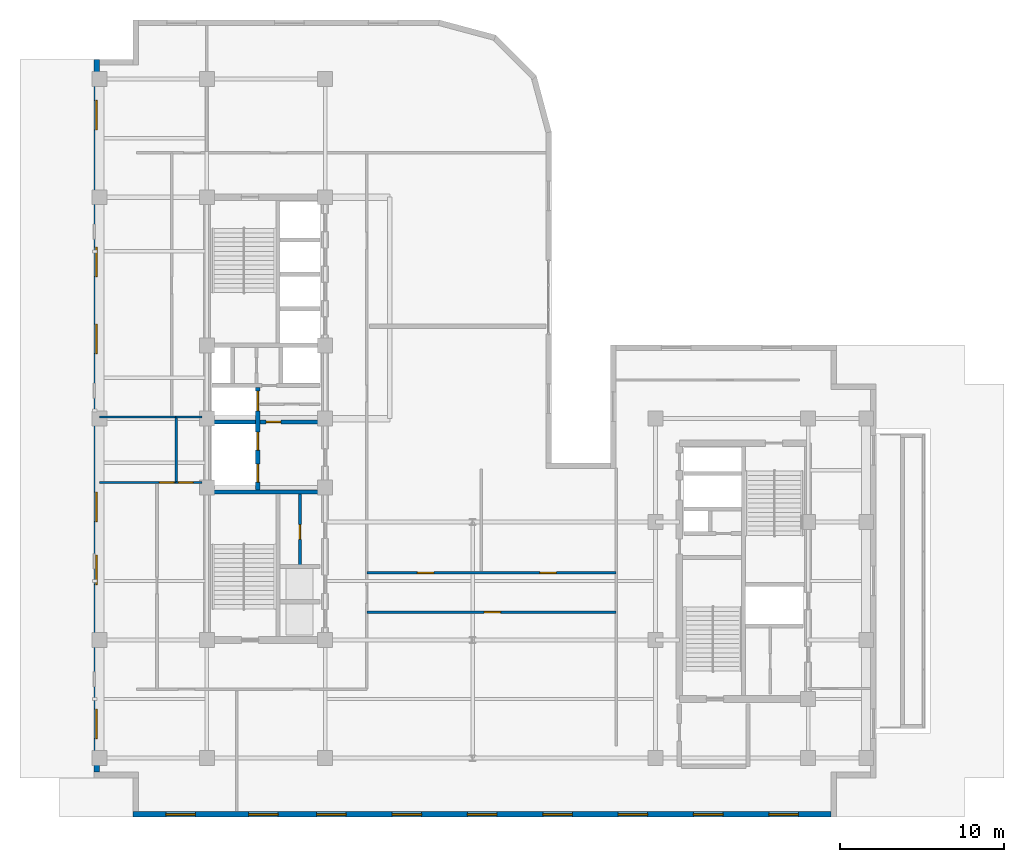
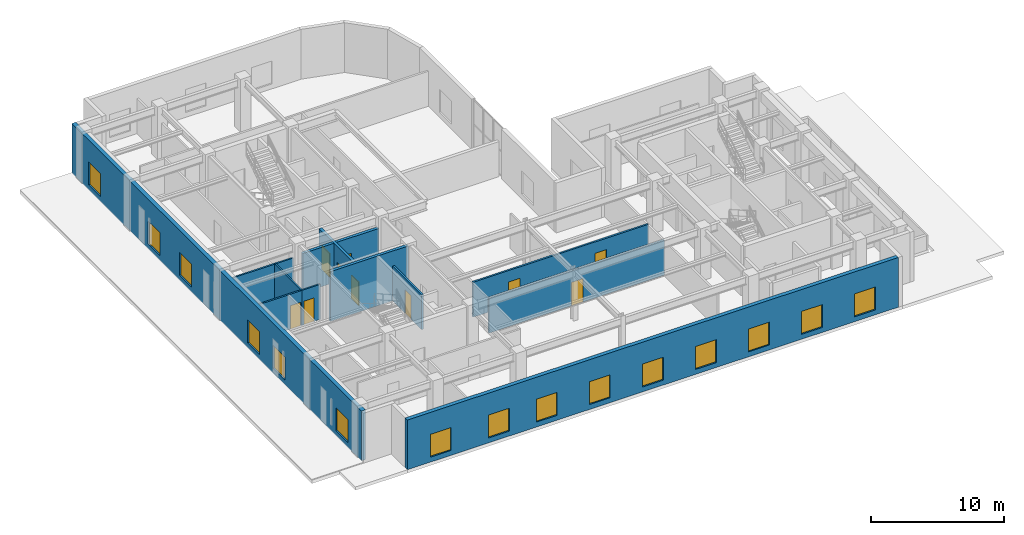
# One storey, part 7 of 16: 15 windows, 13 walls, 10 doors, 25 openings.
"""IFC4 building model written with IfcOpenShell, lengths in metres."""

from ifc_helpers import new_model, entity, si_unit, converted_unit, direction, frame, origin_with_axes, origin_2d_with_axis, place, context, subcontext, project, spatial, polyline, rectangle, outline, extrude, material, layer, layer_set, type_object, element, fill, save


model = new_model("IFC4")

# Units and contexts
model_context = context("Model", 3, precision=1e-05, world=origin_with_axes(), true_north=direction((0.0, 1.0)))
body_context = subcontext(model_context, "Body", "Model", "MODEL_VIEW")
ifc_project = project(units=[si_unit("LENGTHUNIT", "METRE"), si_unit("AREAUNIT", "SQUARE_METRE"), si_unit("VOLUMEUNIT", "CUBIC_METRE"), converted_unit("PLANEANGLEUNIT", "DEGREE", entity("IfcPlaneAngleMeasure", 0.017453292519943295), si_unit("PLANEANGLEUNIT", "RADIAN"), dimensions=[0, 0, 0, 0, 0, 0, 0]), si_unit("MASSUNIT", "GRAM", prefix="KILO"), si_unit("THERMODYNAMICTEMPERATUREUNIT", "KELVIN")], contexts=[model_context])

# Site, building, storey
site_placement = place(None, origin_with_axes())
site = spatial("IfcSite", under=ifc_project, at=site_placement, CompositionType="ELEMENT")
building_placement = place(site_placement, origin_with_axes())
building = spatial("IfcBuilding", under=site, at=building_placement, Name="Varnlund Millrace Tower", CompositionType="ELEMENT")
storey_placement = place(building_placement, frame((0.0, 0.0, 219.9), z_axis=(0.0, 0.0, 1.0), x_axis=(1.0, 0.0, 0.0)))
storey = spatial("IfcBuildingStorey", under=building, at=storey_placement, Name="L54", CompositionType="ELEMENT", Elevation=219.9)

# Wall, openings, windows
ifc_material_1 = material(Name="Precast concrete C50/60", Category="concrete")
ifc_layer_1 = layer(ifc_material_1, 0.34, Name="Precast concrete C50/60")
ifc_layer_set_1 = layer_set([ifc_layer_1], Name="Precast concrete C50/60")
wall_type_1 = type_object("IfcWallType", Name="Type-ExtWall-Precast-Upper-340", PredefinedType="SOLIDWALL", material=ifc_layer_set_1)
wall_1_placement = place(storey_placement, frame((49.46, 0.17, 0.0), z_axis=(0.0, 0.0, 1.0), x_axis=(-1.0, 0.0, 0.0)))
wall_1 = element("IfcWall", 1, at=wall_1_placement, inside=storey, type_object=wall_type_1, Name="Type-ExtWall-Precast-Upper-340", PredefinedType="SOLIDWALL", context=body_context, shape_type="SweptSolid", body=[
    extrude(outline(polyline([(0.0, -0.17), (42.56, -0.17), (42.56, 0.17), (0.0, 0.17), (0.0, -0.17)])), origin_with_axes(), (0.0, 0.0, 1.0), 4.56),
])
opening_1_placement = place(wall_1_placement, frame((2.898, 0.0, 0.45), z_axis=(0.0, 0.0, 1.0), x_axis=(1.0, 0.0, 0.0)))
opening_1 = element("IfcOpeningElement", 2, at=opening_1_placement, cuts=wall_1, Name="Opening L54:WN-06", PredefinedType="OPENING", context=body_context, shape_type="SweptSolid", body=[
    extrude(rectangle(XDim=1.8, YDim=0.36, at=origin_2d_with_axis()), origin_with_axes(), (0.0, 0.0, 1.0), 2.1),
])
opening_2_placement = place(wall_1_placement, frame((7.493, 0.0, 0.45), z_axis=(0.0, 0.0, 1.0), x_axis=(1.0, 0.0, 0.0)))
opening_2 = element("IfcOpeningElement", 3, at=opening_2_placement, cuts=wall_1, Name="Opening L54:WN-07", PredefinedType="OPENING", context=body_context, shape_type="SweptSolid", body=[
    extrude(rectangle(XDim=1.8, YDim=0.36, at=origin_2d_with_axis()), origin_with_axes(), (0.0, 0.0, 1.0), 2.1),
])
opening_3_placement = place(wall_1_placement, frame((12.089, 0.0, 0.45), z_axis=(0.0, 0.0, 1.0), x_axis=(1.0, 0.0, 0.0)))
opening_3 = element("IfcOpeningElement", 4, at=opening_3_placement, cuts=wall_1, Name="Opening L54:WN-08", PredefinedType="OPENING", context=body_context, shape_type="SweptSolid", body=[
    extrude(rectangle(XDim=1.8, YDim=0.36, at=origin_2d_with_axis()), origin_with_axes(), (0.0, 0.0, 1.0), 2.1),
])
opening_4_placement = place(wall_1_placement, frame((16.684, 0.0, 0.45), z_axis=(0.0, 0.0, 1.0), x_axis=(1.0, 0.0, 0.0)))
opening_4 = element("IfcOpeningElement", 5, at=opening_4_placement, cuts=wall_1, Name="Opening L54:WN-09", PredefinedType="OPENING", context=body_context, shape_type="SweptSolid", body=[
    extrude(rectangle(XDim=1.8, YDim=0.36, at=origin_2d_with_axis()), origin_with_axes(), (0.0, 0.0, 1.0), 2.1),
])
opening_5_placement = place(wall_1_placement, frame((21.28, 0.0, 0.45), z_axis=(0.0, 0.0, 1.0), x_axis=(1.0, 0.0, 0.0)))
opening_5 = element("IfcOpeningElement", 6, at=opening_5_placement, cuts=wall_1, Name="Opening L54:WN-10", PredefinedType="OPENING", context=body_context, shape_type="SweptSolid", body=[
    extrude(rectangle(XDim=1.8, YDim=0.36, at=origin_2d_with_axis()), origin_with_axes(), (0.0, 0.0, 1.0), 2.1),
])
opening_6_placement = place(wall_1_placement, frame((25.876, 0.0, 0.45), z_axis=(0.0, 0.0, 1.0), x_axis=(1.0, 0.0, 0.0)))
opening_6 = element("IfcOpeningElement", 7, at=opening_6_placement, cuts=wall_1, Name="Opening L54:WN-11", PredefinedType="OPENING", context=body_context, shape_type="SweptSolid", body=[
    extrude(rectangle(XDim=1.8, YDim=0.36, at=origin_2d_with_axis()), origin_with_axes(), (0.0, 0.0, 1.0), 2.1),
])
opening_7_placement = place(wall_1_placement, frame((30.471, 0.0, 0.45), z_axis=(0.0, 0.0, 1.0), x_axis=(1.0, 0.0, 0.0)))
opening_7 = element("IfcOpeningElement", 8, at=opening_7_placement, cuts=wall_1, Name="Opening L54:WN-12", PredefinedType="OPENING", context=body_context, shape_type="SweptSolid", body=[
    extrude(rectangle(XDim=1.8, YDim=0.36, at=origin_2d_with_axis()), origin_with_axes(), (0.0, 0.0, 1.0), 2.1),
])
opening_8_placement = place(wall_1_placement, frame((34.617, 0.0, 0.45), z_axis=(0.0, 0.0, 1.0), x_axis=(1.0, 0.0, 0.0)))
opening_8 = element("IfcOpeningElement", 9, at=opening_8_placement, cuts=wall_1, Name="Opening L54:WN-13", PredefinedType="OPENING", context=body_context, shape_type="SweptSolid", body=[
    extrude(rectangle(XDim=1.8, YDim=0.36, at=origin_2d_with_axis()), origin_with_axes(), (0.0, 0.0, 1.0), 2.1),
])
opening_9_placement = place(wall_1_placement, frame((39.662, 0.0, 0.45), z_axis=(0.0, 0.0, 1.0), x_axis=(1.0, 0.0, 0.0)))
opening_9 = element("IfcOpeningElement", 10, at=opening_9_placement, cuts=wall_1, Name="Opening L54:WN-14", PredefinedType="OPENING", context=body_context, shape_type="SweptSolid", body=[
    extrude(rectangle(XDim=1.8, YDim=0.36, at=origin_2d_with_axis()), origin_with_axes(), (0.0, 0.0, 1.0), 2.1),
])
ifc_material_2 = material(Name="Argon low-e triple glazing in thermally broken bronze frame", Category="glass")
window_type = type_object("IfcWindowType", Name="Type-Window-Punched-1800X2100", PartitioningType="SINGLE_PANEL", PredefinedType="WINDOW", material=ifc_material_2)
window_1_placement = place(wall_1_placement, frame((2.898, 0.0, 0.45), z_axis=(0.0, 0.0, 1.0), x_axis=(1.0, 0.0, 0.0)))
window_1 = element("IfcWindow", 11, at=window_1_placement, inside=storey, type_object=window_type, Name="Type-Window-Punched-1800X2100", OverallHeight=2.1, OverallWidth=1.8, PredefinedType="WINDOW", context=body_context, shape_type="SweptSolid", body=[
    extrude(rectangle(XDim=1.8, YDim=0.09, at=origin_2d_with_axis()), origin_with_axes(), (0.0, 0.0, 1.0), 2.1),
])
fill(opening_1, window_1)
window_2_placement = place(wall_1_placement, frame((7.493, 0.0, 0.45), z_axis=(0.0, 0.0, 1.0), x_axis=(1.0, 0.0, 0.0)))
window_2 = element("IfcWindow", 12, at=window_2_placement, inside=storey, type_object=window_type, Name="Type-Window-Punched-1800X2100", OverallHeight=2.1, OverallWidth=1.8, PredefinedType="WINDOW", context=body_context, shape_type="SweptSolid", body=[
    extrude(rectangle(XDim=1.8, YDim=0.09, at=origin_2d_with_axis()), origin_with_axes(), (0.0, 0.0, 1.0), 2.1),
])
fill(opening_2, window_2)
window_3_placement = place(wall_1_placement, frame((12.089, 0.0, 0.45), z_axis=(0.0, 0.0, 1.0), x_axis=(1.0, 0.0, 0.0)))
window_3 = element("IfcWindow", 13, at=window_3_placement, inside=storey, type_object=window_type, Name="Type-Window-Punched-1800X2100", OverallHeight=2.1, OverallWidth=1.8, PredefinedType="WINDOW", context=body_context, shape_type="SweptSolid", body=[
    extrude(rectangle(XDim=1.8, YDim=0.09, at=origin_2d_with_axis()), origin_with_axes(), (0.0, 0.0, 1.0), 2.1),
])
fill(opening_3, window_3)
window_4_placement = place(wall_1_placement, frame((16.684, 0.0, 0.45), z_axis=(0.0, 0.0, 1.0), x_axis=(1.0, 0.0, 0.0)))
window_4 = element("IfcWindow", 14, at=window_4_placement, inside=storey, type_object=window_type, Name="Type-Window-Punched-1800X2100", OverallHeight=2.1, OverallWidth=1.8, PredefinedType="WINDOW", context=body_context, shape_type="SweptSolid", body=[
    extrude(rectangle(XDim=1.8, YDim=0.09, at=origin_2d_with_axis()), origin_with_axes(), (0.0, 0.0, 1.0), 2.1),
])
fill(opening_4, window_4)
window_5_placement = place(wall_1_placement, frame((21.28, 0.0, 0.45), z_axis=(0.0, 0.0, 1.0), x_axis=(1.0, 0.0, 0.0)))
window_5 = element("IfcWindow", 15, at=window_5_placement, inside=storey, type_object=window_type, Name="Type-Window-Punched-1800X2100", OverallHeight=2.1, OverallWidth=1.8, PredefinedType="WINDOW", context=body_context, shape_type="SweptSolid", body=[
    extrude(rectangle(XDim=1.8, YDim=0.09, at=origin_2d_with_axis()), origin_with_axes(), (0.0, 0.0, 1.0), 2.1),
])
fill(opening_5, window_5)
window_6_placement = place(wall_1_placement, frame((25.876, 0.0, 0.45), z_axis=(0.0, 0.0, 1.0), x_axis=(1.0, 0.0, 0.0)))
window_6 = element("IfcWindow", 16, at=window_6_placement, inside=storey, type_object=window_type, Name="Type-Window-Punched-1800X2100", OverallHeight=2.1, OverallWidth=1.8, PredefinedType="WINDOW", context=body_context, shape_type="SweptSolid", body=[
    extrude(rectangle(XDim=1.8, YDim=0.09, at=origin_2d_with_axis()), origin_with_axes(), (0.0, 0.0, 1.0), 2.1),
])
fill(opening_6, window_6)
window_7_placement = place(wall_1_placement, frame((30.471, 0.0, 0.45), z_axis=(0.0, 0.0, 1.0), x_axis=(1.0, 0.0, 0.0)))
window_7 = element("IfcWindow", 17, at=window_7_placement, inside=storey, type_object=window_type, Name="Type-Window-Punched-1800X2100", OverallHeight=2.1, OverallWidth=1.8, PredefinedType="WINDOW", context=body_context, shape_type="SweptSolid", body=[
    extrude(rectangle(XDim=1.8, YDim=0.09, at=origin_2d_with_axis()), origin_with_axes(), (0.0, 0.0, 1.0), 2.1),
])
fill(opening_7, window_7)
window_8_placement = place(wall_1_placement, frame((34.617, 0.0, 0.45), z_axis=(0.0, 0.0, 1.0), x_axis=(1.0, 0.0, 0.0)))
window_8 = element("IfcWindow", 18, at=window_8_placement, inside=storey, type_object=window_type, Name="Type-Window-Punched-1800X2100", OverallHeight=2.1, OverallWidth=1.8, PredefinedType="WINDOW", context=body_context, shape_type="SweptSolid", body=[
    extrude(rectangle(XDim=1.8, YDim=0.09, at=origin_2d_with_axis()), origin_with_axes(), (0.0, 0.0, 1.0), 2.1),
])
fill(opening_8, window_8)
window_9_placement = place(wall_1_placement, frame((39.662, 0.0, 0.45), z_axis=(0.0, 0.0, 1.0), x_axis=(1.0, 0.0, 0.0)))
window_9 = element("IfcWindow", 19, at=window_9_placement, inside=storey, type_object=window_type, Name="Type-Window-Punched-1800X2100", OverallHeight=2.1, OverallWidth=1.8, PredefinedType="WINDOW", context=body_context, shape_type="SweptSolid", body=[
    extrude(rectangle(XDim=1.8, YDim=0.09, at=origin_2d_with_axis()), origin_with_axes(), (0.0, 0.0, 1.0), 2.1),
])
fill(opening_9, window_9)

wall_2_placement = place(storey_placement, frame((4.67, 2.74, 0.0), z_axis=(0.0, 0.0, 1.0), x_axis=(0.0, 1.0, 0.0)))
wall_2 = element("IfcWall", 20, at=wall_2_placement, inside=storey, type_object=wall_type_1, Name="Type-ExtWall-Precast-Upper-340", PredefinedType="SOLIDWALL", context=body_context, shape_type="SweptSolid", body=[
    extrude(outline(polyline([(0.0, -0.17), (43.46, -0.17), (43.46, 0.17), (0.0, 0.17), (0.0, -0.17)])), origin_with_axes(), (0.0, 0.0, 1.0), 4.56),
])
opening_10_placement = place(wall_2_placement, frame((2.948, 0.0, 0.45), z_axis=(0.0, 0.0, 1.0), x_axis=(1.0, 0.0, 0.0)))
opening_10 = element("IfcOpeningElement", 21, at=opening_10_placement, cuts=wall_2, Name="Opening L54:WN-15", PredefinedType="OPENING", context=body_context, shape_type="SweptSolid", body=[
    extrude(rectangle(XDim=1.8, YDim=0.36, at=origin_2d_with_axis()), origin_with_axes(), (0.0, 0.0, 1.0), 2.1),
])
opening_11_placement = place(wall_2_placement, frame((12.339, 0.0, 0.45), z_axis=(0.0, 0.0, 1.0), x_axis=(1.0, 0.0, 0.0)))
opening_11 = element("IfcOpeningElement", 22, at=opening_11_placement, cuts=wall_2, Name="Opening L54:WN-16", PredefinedType="OPENING", context=body_context, shape_type="SweptSolid", body=[
    extrude(rectangle(XDim=1.8, YDim=0.36, at=origin_2d_with_axis()), origin_with_axes(), (0.0, 0.0, 1.0), 2.1),
])
opening_12_placement = place(wall_2_placement, frame((16.184, 0.0, 0.45), z_axis=(0.0, 0.0, 1.0), x_axis=(1.0, 0.0, 0.0)))
opening_12 = element("IfcOpeningElement", 23, at=opening_12_placement, cuts=wall_2, Name="Opening L54:WN-17", PredefinedType="OPENING", context=body_context, shape_type="SweptSolid", body=[
    extrude(rectangle(XDim=1.8, YDim=0.36, at=origin_2d_with_axis()), origin_with_axes(), (0.0, 0.0, 1.0), 2.1),
])
opening_13_placement = place(wall_2_placement, frame((26.426, 0.0, 0.45), z_axis=(0.0, 0.0, 1.0), x_axis=(1.0, 0.0, 0.0)))
opening_13 = element("IfcOpeningElement", 24, at=opening_13_placement, cuts=wall_2, Name="Opening L54:WN-18", PredefinedType="OPENING", context=body_context, shape_type="SweptSolid", body=[
    extrude(rectangle(XDim=1.8, YDim=0.36, at=origin_2d_with_axis()), origin_with_axes(), (0.0, 0.0, 1.0), 2.1),
])
opening_14_placement = place(wall_2_placement, frame((31.121, 0.0, 0.45), z_axis=(0.0, 0.0, 1.0), x_axis=(1.0, 0.0, 0.0)))
opening_14 = element("IfcOpeningElement", 25, at=opening_14_placement, cuts=wall_2, Name="Opening L54:WN-19", PredefinedType="OPENING", context=body_context, shape_type="SweptSolid", body=[
    extrude(rectangle(XDim=1.8, YDim=0.36, at=origin_2d_with_axis()), origin_with_axes(), (0.0, 0.0, 1.0), 2.1),
])
opening_15_placement = place(wall_2_placement, frame((40.062, 0.0, 0.45), z_axis=(0.0, 0.0, 1.0), x_axis=(1.0, 0.0, 0.0)))
opening_15 = element("IfcOpeningElement", 26, at=opening_15_placement, cuts=wall_2, Name="Opening L54:WN-20", PredefinedType="OPENING", context=body_context, shape_type="SweptSolid", body=[
    extrude(rectangle(XDim=1.8, YDim=0.36, at=origin_2d_with_axis()), origin_with_axes(), (0.0, 0.0, 1.0), 2.1),
])
window_10_placement = place(wall_2_placement, frame((2.948, 0.0, 0.45), z_axis=(0.0, 0.0, 1.0), x_axis=(1.0, 0.0, 0.0)))
window_10 = element("IfcWindow", 27, at=window_10_placement, inside=storey, type_object=window_type, Name="Type-Window-Punched-1800X2100", OverallHeight=2.1, OverallWidth=1.8, PredefinedType="WINDOW", context=body_context, shape_type="SweptSolid", body=[
    extrude(rectangle(XDim=1.8, YDim=0.09, at=origin_2d_with_axis()), origin_with_axes(), (0.0, 0.0, 1.0), 2.1),
])
fill(opening_10, window_10)
window_11_placement = place(wall_2_placement, frame((12.339, 0.0, 0.45), z_axis=(0.0, 0.0, 1.0), x_axis=(1.0, 0.0, 0.0)))
window_11 = element("IfcWindow", 28, at=window_11_placement, inside=storey, type_object=window_type, Name="Type-Window-Punched-1800X2100", OverallHeight=2.1, OverallWidth=1.8, PredefinedType="WINDOW", context=body_context, shape_type="SweptSolid", body=[
    extrude(rectangle(XDim=1.8, YDim=0.09, at=origin_2d_with_axis()), origin_with_axes(), (0.0, 0.0, 1.0), 2.1),
])
fill(opening_11, window_11)
window_12_placement = place(wall_2_placement, frame((16.184, 0.0, 0.45), z_axis=(0.0, 0.0, 1.0), x_axis=(1.0, 0.0, 0.0)))
window_12 = element("IfcWindow", 29, at=window_12_placement, inside=storey, type_object=window_type, Name="Type-Window-Punched-1800X2100", OverallHeight=2.1, OverallWidth=1.8, PredefinedType="WINDOW", context=body_context, shape_type="SweptSolid", body=[
    extrude(rectangle(XDim=1.8, YDim=0.09, at=origin_2d_with_axis()), origin_with_axes(), (0.0, 0.0, 1.0), 2.1),
])
fill(opening_12, window_12)
window_13_placement = place(wall_2_placement, frame((26.426, 0.0, 0.45), z_axis=(0.0, 0.0, 1.0), x_axis=(1.0, 0.0, 0.0)))
window_13 = element("IfcWindow", 30, at=window_13_placement, inside=storey, type_object=window_type, Name="Type-Window-Punched-1800X2100", OverallHeight=2.1, OverallWidth=1.8, PredefinedType="WINDOW", context=body_context, shape_type="SweptSolid", body=[
    extrude(rectangle(XDim=1.8, YDim=0.09, at=origin_2d_with_axis()), origin_with_axes(), (0.0, 0.0, 1.0), 2.1),
])
fill(opening_13, window_13)
window_14_placement = place(wall_2_placement, frame((31.121, 0.0, 0.45), z_axis=(0.0, 0.0, 1.0), x_axis=(1.0, 0.0, 0.0)))
window_14 = element("IfcWindow", 31, at=window_14_placement, inside=storey, type_object=window_type, Name="Type-Window-Punched-1800X2100", OverallHeight=2.1, OverallWidth=1.8, PredefinedType="WINDOW", context=body_context, shape_type="SweptSolid", body=[
    extrude(rectangle(XDim=1.8, YDim=0.09, at=origin_2d_with_axis()), origin_with_axes(), (0.0, 0.0, 1.0), 2.1),
])
fill(opening_14, window_14)
window_15_placement = place(wall_2_placement, frame((40.062, 0.0, 0.45), z_axis=(0.0, 0.0, 1.0), x_axis=(1.0, 0.0, 0.0)))
window_15 = element("IfcWindow", 32, at=window_15_placement, inside=storey, type_object=window_type, Name="Type-Window-Punched-1800X2100", OverallHeight=2.1, OverallWidth=1.8, PredefinedType="WINDOW", context=body_context, shape_type="SweptSolid", body=[
    extrude(rectangle(XDim=1.8, YDim=0.09, at=origin_2d_with_axis()), origin_with_axes(), (0.0, 0.0, 1.0), 2.1),
])
fill(opening_15, window_15)

# Wall, opening, door
ifc_material_3 = material(Name="Fire-rated gypsum board on cold-formed steel framing", Category="steel")
ifc_layer_2 = layer(ifc_material_3, 0.16, Name="Fire-rated gypsum board on cold-formed steel framing")
ifc_layer_set_2 = layer_set([ifc_layer_2], Name="Fire-rated gypsum board on cold-formed steel framing")
wall_type_2 = type_object("IfcWallType", Name="Type-Partition-Corridor-160", PredefinedType="PARTITIONING", material=ifc_layer_set_2)
wall_3_placement = place(storey_placement, frame((17.07, 15.34, 0.0), z_axis=(0.0, 0.0, 1.0), x_axis=(0.0, 1.0, 0.0)))
wall_3 = element("IfcWall", 33, at=wall_3_placement, inside=storey, type_object=wall_type_2, Name="Type-Partition-Corridor-160", PredefinedType="PARTITIONING", context=body_context, shape_type="SweptSolid", body=[
    extrude(outline(polyline([(0.0, -0.08), (4.36, -0.08), (4.36, 0.08), (0.0, 0.08), (0.0, -0.08)])), origin_with_axes(), (0.0, 0.0, 1.0), 3.2),
])
opening_16_placement = place(wall_3_placement, frame((2.05, 0.0, 0.0), z_axis=(0.0, 0.0, 1.0), x_axis=(1.0, 0.0, 0.0)))
opening_16 = element("IfcOpeningElement", 34, at=opening_16_placement, cuts=wall_3, Name="Opening L54:DR-RECL-S1B1", PredefinedType="OPENING", context=body_context, shape_type="SweptSolid", body=[
    extrude(rectangle(XDim=0.9, YDim=0.18, at=origin_2d_with_axis()), origin_with_axes(), (0.0, 0.0, 1.0), 2.15),
])
ifc_material_4 = material(Name="Painted steel riser and closet door", Category="steel")
door_type_1 = type_object("IfcDoorType", Name="Type-IntDoor-Closet-900X2150", OperationType="NOTDEFINED", PredefinedType="DOOR", material=ifc_material_4)
door_1_placement = place(wall_3_placement, frame((2.05, 0.0, 0.0), z_axis=(0.0, 0.0, 1.0), x_axis=(1.0, 0.0, 0.0)))
door_1 = element("IfcDoor", 35, at=door_1_placement, inside=storey, type_object=door_type_1, Name="Type-IntDoor-Closet-900X2150", OperationType="SINGLE_SWING_LEFT", OverallHeight=2.15, OverallWidth=0.9, PredefinedType="DOOR", context=body_context, shape_type="SweptSolid", body=[
    extrude(rectangle(XDim=0.9, YDim=0.09, at=origin_2d_with_axis()), origin_with_axes(), (0.0, 0.0, 1.0), 2.15),
])
fill(opening_16, door_1)

wall_4_placement = place(storey_placement, frame((21.15, 12.5, 0.0), z_axis=(0.0, 0.0, 1.0), x_axis=(1.0, 0.0, 0.0)))
wall_4 = element("IfcWall", 36, at=wall_4_placement, inside=storey, type_object=wall_type_2, Name="Type-Partition-Corridor-160", PredefinedType="PARTITIONING", context=body_context, shape_type="SweptSolid", body=[
    extrude(outline(polyline([(0.0, -0.08), (15.2, -0.08), (15.2, 0.08), (0.0, 0.08), (0.0, -0.08)])), origin_with_axes(), (0.0, 0.0, 1.0), 3.2),
])
opening_17_placement = place(wall_4_placement, frame((7.65, 0.0, 0.0), z_axis=(0.0, 0.0, 1.0), x_axis=(1.0, 0.0, 0.0)))
opening_17 = element("IfcOpeningElement", 37, at=opening_17_placement, cuts=wall_4, Name="Opening L54:DR-KNS-01", PredefinedType="OPENING", context=body_context, shape_type="SweptSolid", body=[
    extrude(rectangle(XDim=1.0, YDim=0.18, at=origin_2d_with_axis()), origin_with_axes(), (0.0, 0.0, 1.0), 2.15),
])
ifc_material_5 = material(Name="Solid-core white oak and bronze frame door")
door_type_2 = type_object("IfcDoorType", Name="Type-IntDoor-Office-1000X2150", OperationType="NOTDEFINED", PredefinedType="DOOR", material=ifc_material_5)
door_2_placement = place(wall_4_placement, frame((7.65, 0.0, 0.0), z_axis=(0.0, 0.0, 1.0), x_axis=(1.0, 0.0, 0.0)))
door_2 = element("IfcDoor", 38, at=door_2_placement, inside=storey, type_object=door_type_2, Name="Type-IntDoor-Office-1000X2150", OperationType="SINGLE_SWING_LEFT", OverallHeight=2.15, OverallWidth=1.0, PredefinedType="DOOR", context=body_context, shape_type="SweptSolid", body=[
    extrude(rectangle(XDim=1.0, YDim=0.09, at=origin_2d_with_axis()), origin_with_axes(), (0.0, 0.0, 1.0), 2.15),
])
fill(opening_17, door_2)

# Wall, openings, doors
wall_5_placement = place(storey_placement, frame((21.15, 14.9, 0.0), z_axis=(0.0, 0.0, 1.0), x_axis=(1.0, 0.0, 0.0)))
wall_5 = element("IfcWall", 39, at=wall_5_placement, inside=storey, type_object=wall_type_2, Name="Type-Partition-Corridor-160", PredefinedType="PARTITIONING", context=body_context, shape_type="SweptSolid", body=[
    extrude(outline(polyline([(0.0, -0.08), (15.2, -0.08), (15.2, 0.08), (0.0, 0.08), (0.0, -0.08)])), origin_with_axes(), (0.0, 0.0, 1.0), 3.2),
])
opening_18_placement = place(wall_5_placement, frame((3.5825, 0.0, 0.0), z_axis=(0.0, 0.0, 1.0), x_axis=(1.0, 0.0, 0.0)))
opening_18 = element("IfcOpeningElement", 40, at=opening_18_placement, cuts=wall_5, Name="Opening L54:DR-KN-01", PredefinedType="OPENING", context=body_context, shape_type="SweptSolid", body=[
    extrude(rectangle(XDim=1.0, YDim=0.18, at=origin_2d_with_axis()), origin_with_axes(), (0.0, 0.0, 1.0), 2.15),
])
opening_19_placement = place(wall_5_placement, frame((11.0525, 0.0, 0.0), z_axis=(0.0, 0.0, 1.0), x_axis=(1.0, 0.0, 0.0)))
opening_19 = element("IfcOpeningElement", 41, at=opening_19_placement, cuts=wall_5, Name="Opening L54:DR-KN-02", PredefinedType="OPENING", context=body_context, shape_type="SweptSolid", body=[
    extrude(rectangle(XDim=1.0, YDim=0.18, at=origin_2d_with_axis()), origin_with_axes(), (0.0, 0.0, 1.0), 2.15),
])
door_3_placement = place(wall_5_placement, frame((3.5825, 0.0, 0.0), z_axis=(0.0, 0.0, 1.0), x_axis=(1.0, 0.0, 0.0)))
door_3 = element("IfcDoor", 42, at=door_3_placement, inside=storey, type_object=door_type_2, Name="Type-IntDoor-Office-1000X2150", OperationType="SINGLE_SWING_LEFT", OverallHeight=2.15, OverallWidth=1.0, PredefinedType="DOOR", context=body_context, shape_type="SweptSolid", body=[
    extrude(rectangle(XDim=1.0, YDim=0.09, at=origin_2d_with_axis()), origin_with_axes(), (0.0, 0.0, 1.0), 2.15),
])
fill(opening_18, door_3)
door_4_placement = place(wall_5_placement, frame((11.0525, 0.0, 0.0), z_axis=(0.0, 0.0, 1.0), x_axis=(1.0, 0.0, 0.0)))
door_4 = element("IfcDoor", 43, at=door_4_placement, inside=storey, type_object=door_type_2, Name="Type-IntDoor-Office-1000X2150", OperationType="SINGLE_SWING_RIGHT", OverallHeight=2.15, OverallWidth=1.0, PredefinedType="DOOR", context=body_context, shape_type="SweptSolid", body=[
    extrude(rectangle(XDim=1.0, YDim=0.09, at=origin_2d_with_axis()), origin_with_axes(), (0.0, 0.0, 1.0), 2.15),
])
fill(opening_19, door_4)

# Wall
ifc_material_6 = material(Name="Moisture-resistant gypsum restroom partition", Category="gypsum")
ifc_layer_3 = layer(ifc_material_6, 0.14, Name="Moisture-resistant gypsum restroom partition")
ifc_layer_set_3 = layer_set([ifc_layer_3], Name="Moisture-resistant gypsum restroom partition")
wall_type_3 = type_object("IfcWallType", Name="Type-Partition-Wet-140", PredefinedType="PARTITIONING", material=ifc_layer_set_3)
wall_6_placement = place(storey_placement, frame((9.52, 20.4, 0.0), z_axis=(0.0, 0.0, 1.0), x_axis=(0.0, 1.0, 0.0)))
element("IfcWall", 44, at=wall_6_placement, inside=storey, type_object=wall_type_3, Name="Type-Partition-Wet-140", PredefinedType="PARTITIONING", context=body_context, shape_type="SweptSolid", body=[
    extrude(outline(polyline([(0.0, -0.07), (4.0, -0.07), (4.0, 0.07), (0.0, 0.07), (0.0, -0.07)])), origin_with_axes(), (0.0, 0.0, 1.0), 3.2),
])

# Wall, opening, door
wall_7_placement = place(storey_placement, frame((9.52, 20.4, 0.0), z_axis=(0.0, 0.0, 1.0), x_axis=(1.0, 0.0, 0.0)))
wall_7 = element("IfcWall", 45, at=wall_7_placement, inside=storey, type_object=wall_type_3, Name="Type-Partition-Wet-140", PredefinedType="PARTITIONING", context=body_context, shape_type="SweptSolid", body=[
    extrude(outline(polyline([(0.0, -0.07), (1.58, -0.07), (1.58, 0.07), (0.0, 0.07), (0.0, -0.07)])), origin_with_axes(), (0.0, 0.0, 1.0), 3.2),
])
opening_20_placement = place(wall_7_placement, frame((0.59, 0.0, 0.0), z_axis=(0.0, 0.0, 1.0), x_axis=(1.0, 0.0, 0.0)))
opening_20 = element("IfcOpeningElement", 46, at=opening_20_placement, cuts=wall_7, Name="Opening L54:DR-CA-WCW", PredefinedType="OPENING", context=body_context, shape_type="SweptSolid", body=[
    extrude(rectangle(XDim=0.9, YDim=0.16, at=origin_2d_with_axis()), origin_with_axes(), (0.0, 0.0, 1.0), 2.15),
])
door_5_placement = place(wall_7_placement, frame((0.59, 0.0, 0.0), z_axis=(0.0, 0.0, 1.0), x_axis=(1.0, 0.0, 0.0)))
door_5 = element("IfcDoor", 47, at=door_5_placement, inside=storey, type_object=door_type_1, Name="Type-IntDoor-Closet-900X2150", OperationType="SINGLE_SWING_LEFT", OverallHeight=2.15, OverallWidth=0.9, PredefinedType="DOOR", context=body_context, shape_type="SweptSolid", body=[
    extrude(rectangle(XDim=0.9, YDim=0.084, at=origin_2d_with_axis()), origin_with_axes(), (0.0, 0.0, 1.0), 2.15),
])
fill(opening_20, door_5)

# Wall
wall_8_placement = place(storey_placement, frame((9.52, 24.4, 0.0), z_axis=(0.0, 0.0, 1.0), x_axis=(1.0, 0.0, 0.0)))
element("IfcWall", 48, at=wall_8_placement, inside=storey, type_object=wall_type_3, Name="Type-Partition-Wet-140", PredefinedType="PARTITIONING", context=body_context, shape_type="SweptSolid", body=[
    extrude(outline(polyline([(0.0, -0.07), (1.58, -0.07), (1.58, 0.07), (0.0, 0.07), (0.0, -0.07)])), origin_with_axes(), (0.0, 0.0, 1.0), 3.2),
])

# Wall, opening, door
wall_9_placement = place(storey_placement, frame((4.835, 20.4, 0.0), z_axis=(0.0, 0.0, 1.0), x_axis=(1.0, 0.0, 0.0)))
wall_9 = element("IfcWall", 49, at=wall_9_placement, inside=storey, type_object=wall_type_3, Name="Type-Partition-Wet-140", PredefinedType="PARTITIONING", context=body_context, shape_type="SweptSolid", body=[
    extrude(outline(polyline([(0.0, -0.07), (4.685, -0.07), (4.685, 0.07), (0.0, 0.07), (0.0, -0.07)])), origin_with_axes(), (0.0, 0.0, 1.0), 3.2),
])
opening_21_placement = place(wall_9_placement, frame((4.115, 0.0, 0.0), z_axis=(0.0, 0.0, 1.0), x_axis=(1.0, 0.0, 0.0)))
opening_21 = element("IfcOpeningElement", 50, at=opening_21_placement, cuts=wall_9, Name="Opening L54:DR-W-MIDR", PredefinedType="OPENING", context=body_context, shape_type="SweptSolid", body=[
    extrude(rectangle(XDim=0.9, YDim=0.16, at=origin_2d_with_axis()), origin_with_axes(), (0.0, 0.0, 1.0), 2.15),
])
door_6_placement = place(wall_9_placement, frame((4.115, 0.0, 0.0), z_axis=(0.0, 0.0, 1.0), x_axis=(1.0, 0.0, 0.0)))
door_6 = element("IfcDoor", 51, at=door_6_placement, inside=storey, type_object=door_type_1, Name="Type-IntDoor-Closet-900X2150", OperationType="SINGLE_SWING_LEFT", OverallHeight=2.15, OverallWidth=0.9, PredefinedType="DOOR", context=body_context, shape_type="SweptSolid", body=[
    extrude(rectangle(XDim=0.9, YDim=0.084, at=origin_2d_with_axis()), origin_with_axes(), (0.0, 0.0, 1.0), 2.15),
])
fill(opening_21, door_6)

# Wall
wall_10_placement = place(storey_placement, frame((4.835, 24.4, 0.0), z_axis=(0.0, 0.0, 1.0), x_axis=(1.0, 0.0, 0.0)))
element("IfcWall", 52, at=wall_10_placement, inside=storey, type_object=wall_type_3, Name="Type-Partition-Wet-140", PredefinedType="PARTITIONING", context=body_context, shape_type="SweptSolid", body=[
    extrude(outline(polyline([(0.0, -0.07), (4.685, -0.07), (4.685, 0.07), (0.0, 0.07), (0.0, -0.07)])), origin_with_axes(), (0.0, 0.0, 1.0), 3.2),
])

# Wall, openings, doors
ifc_material_7 = material(Name="Concrete C60/75", Category="concrete")
ifc_layer_4 = layer(ifc_material_7, 0.25, Name="Concrete C60/75")
ifc_layer_set_4 = layer_set([ifc_layer_4], Name="Concrete C60/75")
wall_type_4 = type_object("IfcWallType", Name="Type-ShaftWall-Fire-250", PredefinedType="SOLIDWALL", material=ifc_layer_set_4)
wall_11_placement = place(storey_placement, frame((14.5, 19.95, 0.0), z_axis=(0.0, 0.0, 1.0), x_axis=(0.0, 1.0, 0.0)))
wall_11 = element("IfcWall", 53, at=wall_11_placement, inside=storey, type_object=wall_type_4, Name="Type-ShaftWall-Fire-250", PredefinedType="SOLIDWALL", context=body_context, shape_type="SweptSolid", body=[
    extrude(outline(polyline([(0.0, -0.125), (6.25, -0.125), (6.25, 0.125), (0.0, 0.125), (0.0, -0.125)])), origin_with_axes(), (0.0, 0.0, 1.0), 3.6),
])
opening_22_placement = place(wall_11_placement, frame((1.025, 0.0, 0.0), z_axis=(0.0, 0.0, 1.0), x_axis=(1.0, 0.0, 0.0)))
opening_22 = element("IfcOpeningElement", 54, at=opening_22_placement, cuts=wall_11, Name="Opening L54:LD-FSAE1", PredefinedType="OPENING", context=body_context, shape_type="SweptSolid", body=[
    extrude(rectangle(XDim=1.1, YDim=0.27, at=origin_2d_with_axis()), origin_with_axes(), (0.0, 0.0, 1.0), 2.15),
])
opening_23_placement = place(wall_11_placement, frame((2.975, 0.0, 0.0), z_axis=(0.0, 0.0, 1.0), x_axis=(1.0, 0.0, 0.0)))
opening_23 = element("IfcOpeningElement", 55, at=opening_23_placement, cuts=wall_11, Name="Opening L54:LD-FSAE2", PredefinedType="OPENING", context=body_context, shape_type="SweptSolid", body=[
    extrude(rectangle(XDim=1.1, YDim=0.27, at=origin_2d_with_axis()), origin_with_axes(), (0.0, 0.0, 1.0), 2.15),
])
opening_24_placement = place(wall_11_placement, frame((5.425, 0.0, 0.0), z_axis=(0.0, 0.0, 1.0), x_axis=(1.0, 0.0, 0.0)))
opening_24 = element("IfcOpeningElement", 56, at=opening_24_placement, cuts=wall_11, Name="Opening L54:LD-SRV1", PredefinedType="OPENING", context=body_context, shape_type="SweptSolid", body=[
    extrude(rectangle(XDim=1.2, YDim=0.27, at=origin_2d_with_axis()), origin_with_axes(), (0.0, 0.0, 1.0), 2.15),
])
ifc_material_8 = material(Name="Stainless and architectural bronze sliding landing door")
door_type_3 = type_object("IfcDoorType", Name="Type-LiftLandingDoor-1100X2150", OperationType="NOTDEFINED", PredefinedType="DOOR", material=ifc_material_8)
door_7_placement = place(wall_11_placement, frame((1.025, 0.0, 0.0), z_axis=(0.0, 0.0, 1.0), x_axis=(1.0, 0.0, 0.0)))
door_7 = element("IfcDoor", 57, at=door_7_placement, inside=storey, type_object=door_type_3, Name="Type-LiftLandingDoor-1100X2150", OperationType="SLIDING_TO_LEFT", OverallHeight=2.15, OverallWidth=1.1, PredefinedType="DOOR", context=body_context, shape_type="SweptSolid", body=[
    extrude(rectangle(XDim=1.1, YDim=0.09, at=origin_2d_with_axis()), origin_with_axes(), (0.0, 0.0, 1.0), 2.15),
])
fill(opening_22, door_7)
door_8_placement = place(wall_11_placement, frame((2.975, 0.0, 0.0), z_axis=(0.0, 0.0, 1.0), x_axis=(1.0, 0.0, 0.0)))
door_8 = element("IfcDoor", 58, at=door_8_placement, inside=storey, type_object=door_type_3, Name="Type-LiftLandingDoor-1100X2150", OperationType="SLIDING_TO_RIGHT", OverallHeight=2.15, OverallWidth=1.1, PredefinedType="DOOR", context=body_context, shape_type="SweptSolid", body=[
    extrude(rectangle(XDim=1.1, YDim=0.09, at=origin_2d_with_axis()), origin_with_axes(), (0.0, 0.0, 1.0), 2.15),
])
fill(opening_23, door_8)
ifc_material_9 = material(Name="Heavy-duty freight sliding landing door")
door_type_4 = type_object("IfcDoorType", Name="Type-LiftLandingDoor-Service-1200X2150", OperationType="NOTDEFINED", PredefinedType="DOOR", material=ifc_material_9)
door_9_placement = place(wall_11_placement, frame((5.425, 0.0, 0.0), z_axis=(0.0, 0.0, 1.0), x_axis=(1.0, 0.0, 0.0)))
door_9 = element("IfcDoor", 59, at=door_9_placement, inside=storey, type_object=door_type_4, Name="Type-LiftLandingDoor-Service-1200X2150", OperationType="DOUBLE_DOOR_SLIDING", OverallHeight=2.15, OverallWidth=1.2, PredefinedType="DOOR", context=body_context, shape_type="SweptSolid", body=[
    extrude(rectangle(XDim=1.2, YDim=0.09, at=origin_2d_with_axis()), origin_with_axes(), (0.0, 0.0, 1.0), 2.15),
])
fill(opening_24, door_9)

# Wall, opening, door
wall_12_placement = place(storey_placement, frame((11.7, 24.1, 0.0), z_axis=(0.0, 0.0, 1.0), x_axis=(1.0, 0.0, 0.0)))
wall_12 = element("IfcWall", 60, at=wall_12_placement, inside=storey, type_object=wall_type_4, Name="Type-ShaftWall-Fire-250", PredefinedType="SOLIDWALL", context=body_context, shape_type="SweptSolid", body=[
    extrude(outline(polyline([(0.0, -0.125), (6.6, -0.125), (6.6, 0.125), (0.0, 0.125), (0.0, -0.125)])), origin_with_axes(), (0.0, 0.0, 1.0), 3.6),
])
opening_25_placement = place(wall_12_placement, frame((3.75, 0.0, 0.0), z_axis=(0.0, 0.0, 1.0), x_axis=(1.0, 0.0, 0.0)))
opening_25 = element("IfcOpeningElement", 61, at=opening_25_placement, cuts=wall_12, Name="Opening L54:DR-CA-SUB1", PredefinedType="OPENING", context=body_context, shape_type="SweptSolid", body=[
    extrude(rectangle(XDim=0.9, YDim=0.27, at=origin_2d_with_axis()), origin_with_axes(), (0.0, 0.0, 1.0), 2.15),
])
ifc_material_10 = material(Name="Fire-rated hollow steel service closet door", Category="steel")
door_type_5 = type_object("IfcDoorType", Name="Type-FireDoor-Closet-900X2150", OperationType="NOTDEFINED", PredefinedType="DOOR", material=ifc_material_10)
door_10_placement = place(wall_12_placement, frame((3.75, 0.0, 0.0), z_axis=(0.0, 0.0, 1.0), x_axis=(1.0, 0.0, 0.0)))
door_10 = element("IfcDoor", 62, at=door_10_placement, inside=storey, type_object=door_type_5, Name="Type-FireDoor-Closet-900X2150", OperationType="SINGLE_SWING_LEFT", OverallHeight=2.15, OverallWidth=0.9, PredefinedType="DOOR", context=body_context, shape_type="SweptSolid", body=[
    extrude(rectangle(XDim=0.9, YDim=0.09, at=origin_2d_with_axis()), origin_with_axes(), (0.0, 0.0, 1.0), 2.15),
])
fill(opening_25, door_10)

# Wall
wall_type_5 = type_object("IfcWallType", Name="Type-StairWall-Shear-250", PredefinedType="SHEAR", material=ifc_layer_set_4)
wall_13_placement = place(storey_placement, frame((11.61, 19.825, 0.0), z_axis=(0.0, 0.0, 1.0), x_axis=(1.0, 0.0, 0.0)))
element("IfcWall", 63, at=wall_13_placement, inside=storey, type_object=wall_type_5, Name="Type-StairWall-Shear-250", PredefinedType="SHEAR", context=body_context, shape_type="SweptSolid", body=[
    extrude(outline(polyline([(0.0, -0.125), (6.78, -0.125), (6.78, 0.125), (0.0, 0.125), (0.0, -0.125)])), origin_with_axes(), (0.0, 0.0, 1.0), 4.56),
])

save(model, "model.ifc")
